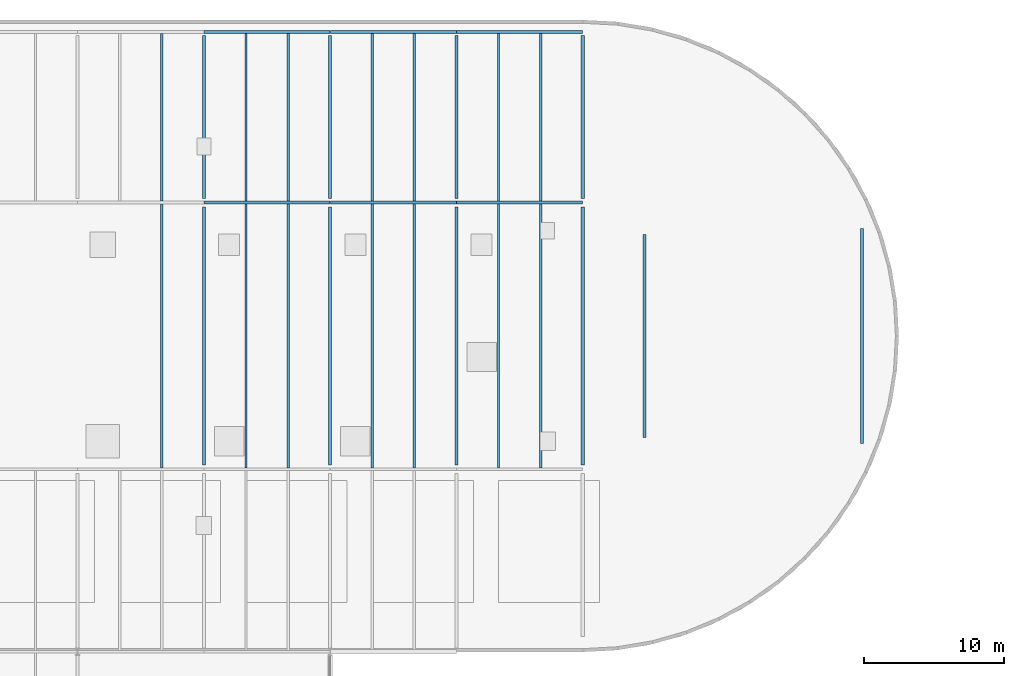
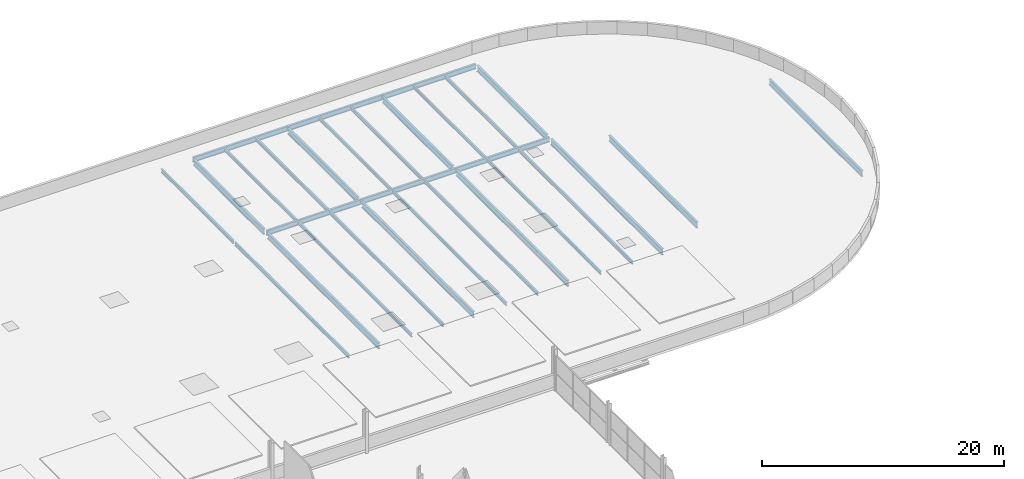
# One storey, part 27 of 59: 30 beams.
"""IFC4 building model written with IfcOpenShell, lengths in metres."""

from ifc_helpers import new_model, si_unit, direction, frame, origin, origin_2d, place, context, subcontext, project, spatial, i_section, extrude, material, material_profile, profile_set, type_object, element, save


model = new_model("IFC4")

# Units and contexts
model_context = context("Model", 3, precision=1e-05, world=origin(), true_north=direction((0.0, 1.0)))
body_context = subcontext(model_context, "Body", "Model", "MODEL_VIEW")
ifc_project = project(units=[si_unit("LENGTHUNIT", "METRE"), si_unit("AREAUNIT", "SQUARE_METRE"), si_unit("VOLUMEUNIT", "CUBIC_METRE"), si_unit("PLANEANGLEUNIT", "RADIAN"), si_unit("MASSUNIT", "GRAM", prefix="KILO")], contexts=[model_context])

# Site, building, storey
site_placement = place(None, origin())
site = spatial("IfcSite", under=ifc_project, at=site_placement, CompositionType="ELEMENT")
building_placement = place(site_placement, origin())
building = spatial("IfcBuilding", under=site, at=building_placement, Name="Deido Ridge Mobility Hub", CompositionType="ELEMENT")
storey_placement = place(building_placement, frame((0.0, 0.0, 21.0)))
storey = spatial("IfcBuildingStorey", under=building, at=storey_placement, Name="L05", CompositionType="ELEMENT", Elevation=21.0)

# Beams
ifc_material = material(Name="Steel S355J2 EN 10025-2", Category="steel")
ifc_material_profile_1 = material_profile(ifc_material, i_section(OverallWidth=0.199951171875, OverallDepth=0.5, WebThickness=0.01025390625, FlangeThickness=0.01611328125, FilletRadius=0.02099609375, at=origin_2d()), Name="IPE 500")
ifc_profile_set_1 = profile_set([ifc_material_profile_1], Name="Steel S355J2 EN 10025-2")
beam_type_1 = type_object("IfcBeamType", Name="BM-IPE500", PredefinedType="BEAM", material=ifc_profile_set_1)
for number, where, z_axis, x_axis, name in (
    (1, (90.0078125, 113.0, -0.4951171875), (1.0, 0.0, 0.0), (0.0, 1.0, 0.0), "Floor beam B3"),
    (2, (99.0078125, 113.0, -0.4951171875), (1.0, 0.0, 0.0), (0.0, 1.0, 0.0), "Floor beam B3"),
    (3, (108.0078125, 113.0, -0.4951171875), (1.0, 0.0, 0.0), (0.0, 1.0, 0.0), "Floor beam B3"),
):
    element("IfcBeam", number, at=place(storey_placement, frame(where, z_axis=z_axis, x_axis=x_axis)), inside=storey, type_object=beam_type_1, Name=name, PredefinedType="BEAM", context=body_context, shape_type="SweptSolid", body=[
        extrude(i_section(OverallWidth=0.199951171875, OverallDepth=0.5, WebThickness=0.01025390625, FlangeThickness=0.01611328125, FilletRadius=0.02099609375, at=origin_2d()), origin(), (0.0, 0.0, 1.0), 8.984375),
    ])
for number, where, z_axis, x_axis, name in (
    (4, (90.007080078125, 125.14990234375, -0.4951171875), (1.0, 0.0, 0.0), (0.0, 1.0, 0.0), "Floor beam B3"),
    (5, (99.007080078125, 125.14990234375, -0.4951171875), (1.0, 0.0, 0.0), (0.0, 1.0, 0.0), "Floor beam B3"),
    (6, (108.007080078125, 125.14990234375, -0.4951171875), (1.0, 0.0, 0.0), (0.0, 1.0, 0.0), "Floor beam B3"),
):
    element("IfcBeam", number, at=place(storey_placement, frame(where, z_axis=z_axis, x_axis=x_axis)), inside=storey, type_object=beam_type_1, Name=name, PredefinedType="BEAM", context=body_context, shape_type="SweptSolid", body=[
        extrude(i_section(OverallWidth=0.199951171875, OverallDepth=0.5, WebThickness=0.01025390625, FlangeThickness=0.01611328125, FilletRadius=0.02099609375, at=origin_2d()), origin(), (0.0, 0.0, 1.0), 8.98583984375),
    ])
ifc_material_profile_2 = material_profile(ifc_material, i_section(OverallWidth=0.219970703125, OverallDepth=0.60009765625, WebThickness=0.011962890625, FlangeThickness=0.01904296875, FilletRadius=0.02392578125, at=origin_2d()), Name="IPE 600")
ifc_profile_set_2 = profile_set([ifc_material_profile_2], Name="Steel S355J2 EN 10025-2")
beam_type_2 = type_object("IfcBeamType", Name="BM-IPE600", PredefinedType="BEAM", material=ifc_profile_set_2)
beam_1_placement = place(storey_placement, frame((90.0, 94.300048828125, -0.544921875), z_axis=(0.0, 1.0, 0.0), x_axis=(-1.0, 0.0, 0.0)))
element("IfcBeam", 7, at=beam_1_placement, inside=storey, type_object=beam_type_2, Name="Floor beam B1", PredefinedType="BEAM", context=body_context, shape_type="SweptSolid", body=[
    extrude(i_section(OverallWidth=0.219970703125, OverallDepth=0.60009765625, WebThickness=0.011962890625, FlangeThickness=0.01904296875, FilletRadius=0.02392578125, at=origin_2d()), origin(), (0.0, 0.0, 1.0), 18.39990234375),
])
beam_2_placement = place(storey_placement, frame((90.0, 113.300048828125, -0.544921875), z_axis=(0.0, 1.0, 0.0), x_axis=(-1.0, 0.0, 0.0)))
element("IfcBeam", 8, at=beam_2_placement, inside=storey, type_object=beam_type_2, Name="Floor beam B1", PredefinedType="BEAM", context=body_context, shape_type="SweptSolid", body=[
    extrude(i_section(OverallWidth=0.219970703125, OverallDepth=0.60009765625, WebThickness=0.011962890625, FlangeThickness=0.01904296875, FilletRadius=0.02392578125, at=origin_2d()), origin(), (0.0, 0.0, 1.0), 11.599853515625),
])
beam_3_placement = place(storey_placement, frame((99.0, 94.300048828125, -0.544921875), z_axis=(0.0, 1.0, 0.0), x_axis=(-1.0, 0.0, 0.0)))
element("IfcBeam", 9, at=beam_3_placement, inside=storey, type_object=beam_type_2, Name="Floor beam B1", PredefinedType="BEAM", context=body_context, shape_type="SweptSolid", body=[
    extrude(i_section(OverallWidth=0.219970703125, OverallDepth=0.60009765625, WebThickness=0.011962890625, FlangeThickness=0.01904296875, FilletRadius=0.02392578125, at=origin_2d()), origin(), (0.0, 0.0, 1.0), 18.39990234375),
])
beam_4_placement = place(storey_placement, frame((99.0, 113.300048828125, -0.544921875), z_axis=(0.0, 1.0, 0.0), x_axis=(-1.0, 0.0, 0.0)))
element("IfcBeam", 10, at=beam_4_placement, inside=storey, type_object=beam_type_2, Name="Floor beam B1", PredefinedType="BEAM", context=body_context, shape_type="SweptSolid", body=[
    extrude(i_section(OverallWidth=0.219970703125, OverallDepth=0.60009765625, WebThickness=0.011962890625, FlangeThickness=0.01904296875, FilletRadius=0.02392578125, at=origin_2d()), origin(), (0.0, 0.0, 1.0), 11.599853515625),
])
beam_5_placement = place(storey_placement, frame((108.0, 94.300048828125, -0.544921875), z_axis=(0.0, 1.0, 0.0), x_axis=(-1.0, 0.0, 0.0)))
element("IfcBeam", 11, at=beam_5_placement, inside=storey, type_object=beam_type_2, Name="Floor beam B1", PredefinedType="BEAM", context=body_context, shape_type="SweptSolid", body=[
    extrude(i_section(OverallWidth=0.219970703125, OverallDepth=0.60009765625, WebThickness=0.011962890625, FlangeThickness=0.01904296875, FilletRadius=0.02392578125, at=origin_2d()), origin(), (0.0, 0.0, 1.0), 18.39990234375),
])
beam_6_placement = place(storey_placement, frame((108.0, 113.300048828125, -0.544921875), z_axis=(0.0, 1.0, 0.0), x_axis=(-1.0, 0.0, 0.0)))
element("IfcBeam", 12, at=beam_6_placement, inside=storey, type_object=beam_type_2, Name="Floor beam B1", PredefinedType="BEAM", context=body_context, shape_type="SweptSolid", body=[
    extrude(i_section(OverallWidth=0.219970703125, OverallDepth=0.60009765625, WebThickness=0.011962890625, FlangeThickness=0.01904296875, FilletRadius=0.02392578125, at=origin_2d()), origin(), (0.0, 0.0, 1.0), 11.599853515625),
])
beam_7_placement = place(storey_placement, frame((117.0, 94.300048828125, -0.544921875), z_axis=(0.0, 1.0, 0.0), x_axis=(-1.0, 0.0, 0.0)))
element("IfcBeam", 13, at=beam_7_placement, inside=storey, type_object=beam_type_2, Name="Floor beam B1", PredefinedType="BEAM", context=body_context, shape_type="SweptSolid", body=[
    extrude(i_section(OverallWidth=0.219970703125, OverallDepth=0.60009765625, WebThickness=0.011962890625, FlangeThickness=0.01904296875, FilletRadius=0.02392578125, at=origin_2d()), origin(), (0.0, 0.0, 1.0), 18.39990234375),
])
beam_8_placement = place(storey_placement, frame((117.0, 113.300048828125, -0.544921875), z_axis=(0.0, 1.0, 0.0), x_axis=(-1.0, 0.0, 0.0)))
element("IfcBeam", 14, at=beam_8_placement, inside=storey, type_object=beam_type_2, Name="Floor beam B1", PredefinedType="BEAM", context=body_context, shape_type="SweptSolid", body=[
    extrude(i_section(OverallWidth=0.219970703125, OverallDepth=0.60009765625, WebThickness=0.011962890625, FlangeThickness=0.01904296875, FilletRadius=0.02392578125, at=origin_2d()), origin(), (0.0, 0.0, 1.0), 11.599853515625),
])
beam_9_placement = place(storey_placement, frame((121.39990234375, 96.2548828125, -0.544921875), z_axis=(0.0, 1.0, 0.0), x_axis=(-1.0, 0.0, 0.0)))
element("IfcBeam", 15, at=beam_9_placement, inside=storey, type_object=beam_type_2, Name="Floor beam B1", PredefinedType="BEAM", context=body_context, shape_type="SweptSolid", body=[
    extrude(i_section(OverallWidth=0.219970703125, OverallDepth=0.60009765625, WebThickness=0.011962890625, FlangeThickness=0.01904296875, FilletRadius=0.02392578125, at=origin_2d()), origin(), (0.0, 0.0, 1.0), 14.490234375),
])
beam_10_placement = place(storey_placement, frame((136.889892578125, 95.8505859375, -0.544921875), z_axis=(0.0, 1.0, 0.0), x_axis=(-1.0, 0.0, 0.0)))
element("IfcBeam", 16, at=beam_10_placement, inside=storey, type_object=beam_type_2, Name="Floor beam B1", PredefinedType="BEAM", context=body_context, shape_type="SweptSolid", body=[
    extrude(i_section(OverallWidth=0.219970703125, OverallDepth=0.60009765625, WebThickness=0.011962890625, FlangeThickness=0.01904296875, FilletRadius=0.02392578125, at=origin_2d()), origin(), (0.0, 0.0, 1.0), 15.298828125),
])
ifc_material_profile_3 = material_profile(ifc_material, i_section(OverallWidth=0.159912109375, OverallDepth=0.330078125, WebThickness=0.007568359375, FlangeThickness=0.011474609375, FilletRadius=0.01806640625, at=origin_2d()), Name="IPE 330")
ifc_profile_set_3 = profile_set([ifc_material_profile_3], Name="Steel S355J2 EN 10025-2")
beam_type_3 = type_object("IfcBeamType", Name="JST-IPE330", PredefinedType="JOIST", material=ifc_profile_set_3)
for number, where, z_axis, x_axis, name in (
    (17, (93.0, 94.10009765625, -0.409912109375), (0.0, 1.0, 0.0), (-1.0, 0.0, 0.0), "Composite joist J2"),
    (18, (102.0, 94.10009765625, -0.409912109375), (0.0, 1.0, 0.0), (-1.0, 0.0, 0.0), "Composite joist J2"),
    (19, (111.0, 94.10009765625, -0.409912109375), (0.0, 1.0, 0.0), (-1.0, 0.0, 0.0), "Composite joist J2"),
):
    element("IfcBeam", number, at=place(storey_placement, frame(where, z_axis=z_axis, x_axis=x_axis)), inside=storey, type_object=beam_type_3, Name=name, PredefinedType="JOIST", context=body_context, shape_type="SweptSolid", body=[
        extrude(i_section(OverallWidth=0.159912109375, OverallDepth=0.330078125, WebThickness=0.007568359375, FlangeThickness=0.011474609375, FilletRadius=0.01806640625, at=origin_2d()), origin(), (0.0, 0.0, 1.0), 18.7998046875),
    ])
for number, where, z_axis, x_axis, name in (
    (20, (93.0, 113.10009765625, -0.409912109375), (0.0, 1.0, 0.0), (-1.0, 0.0, 0.0), "Composite joist J2"),
    (21, (102.0, 113.10009765625, -0.409912109375), (0.0, 1.0, 0.0), (-1.0, 0.0, 0.0), "Composite joist J2"),
    (22, (111.0, 113.10009765625, -0.409912109375), (0.0, 1.0, 0.0), (-1.0, 0.0, 0.0), "Composite joist J2"),
):
    element("IfcBeam", number, at=place(storey_placement, frame(where, z_axis=z_axis, x_axis=x_axis)), inside=storey, type_object=beam_type_3, Name=name, PredefinedType="JOIST", context=body_context, shape_type="SweptSolid", body=[
        extrude(i_section(OverallWidth=0.159912109375, OverallDepth=0.330078125, WebThickness=0.007568359375, FlangeThickness=0.011474609375, FilletRadius=0.01806640625, at=origin_2d()), origin(), (0.0, 0.0, 1.0), 11.949951171875),
    ])
ifc_material_profile_4 = material_profile(ifc_material, i_section(OverallWidth=0.169921875, OverallDepth=0.360107421875, WebThickness=0.008056640625, FlangeThickness=0.0126953125, FilletRadius=0.01806640625, at=origin_2d()), Name="IPE 360")
ifc_profile_set_4 = profile_set([ifc_material_profile_4], Name="Steel S355J2 EN 10025-2")
beam_type_4 = type_object("IfcBeamType", Name="JST-IPE360", PredefinedType="JOIST", material=ifc_profile_set_4)
for number, where, z_axis, x_axis, name in (
    (23, (87.0, 94.10009765625, -0.425048828125), (0.0, 1.0, 0.0), (-1.0, 0.0, 0.0), "Composite joist J1"),
    (24, (96.0, 94.10009765625, -0.425048828125), (0.0, 1.0, 0.0), (-1.0, 0.0, 0.0), "Composite joist J1"),
    (25, (105.0, 94.10009765625, -0.425048828125), (0.0, 1.0, 0.0), (-1.0, 0.0, 0.0), "Composite joist J1"),
    (26, (114.0, 94.10009765625, -0.425048828125), (0.0, 1.0, 0.0), (-1.0, 0.0, 0.0), "Composite joist J1"),
):
    element("IfcBeam", number, at=place(storey_placement, frame(where, z_axis=z_axis, x_axis=x_axis)), inside=storey, type_object=beam_type_4, Name=name, PredefinedType="JOIST", context=body_context, shape_type="SweptSolid", body=[
        extrude(i_section(OverallWidth=0.169921875, OverallDepth=0.360107421875, WebThickness=0.008056640625, FlangeThickness=0.0126953125, FilletRadius=0.01806640625, at=origin_2d()), origin(), (0.0, 0.0, 1.0), 18.7998046875),
    ])
for number, where, z_axis, x_axis, name in (
    (27, (87.0, 113.10009765625, -0.425048828125), (0.0, 1.0, 0.0), (-1.0, 0.0, 0.0), "Composite joist J1"),
    (28, (96.0, 113.10009765625, -0.425048828125), (0.0, 1.0, 0.0), (-1.0, 0.0, 0.0), "Composite joist J1"),
    (29, (105.0, 113.10009765625, -0.425048828125), (0.0, 1.0, 0.0), (-1.0, 0.0, 0.0), "Composite joist J1"),
    (30, (114.0, 113.10009765625, -0.425048828125), (0.0, 1.0, 0.0), (-1.0, 0.0, 0.0), "Composite joist J1"),
):
    element("IfcBeam", number, at=place(storey_placement, frame(where, z_axis=z_axis, x_axis=x_axis)), inside=storey, type_object=beam_type_4, Name=name, PredefinedType="JOIST", context=body_context, shape_type="SweptSolid", body=[
        extrude(i_section(OverallWidth=0.169921875, OverallDepth=0.360107421875, WebThickness=0.008056640625, FlangeThickness=0.0126953125, FilletRadius=0.01806640625, at=origin_2d()), origin(), (0.0, 0.0, 1.0), 11.949951171875),
    ])

save(model, "model.ifc")
